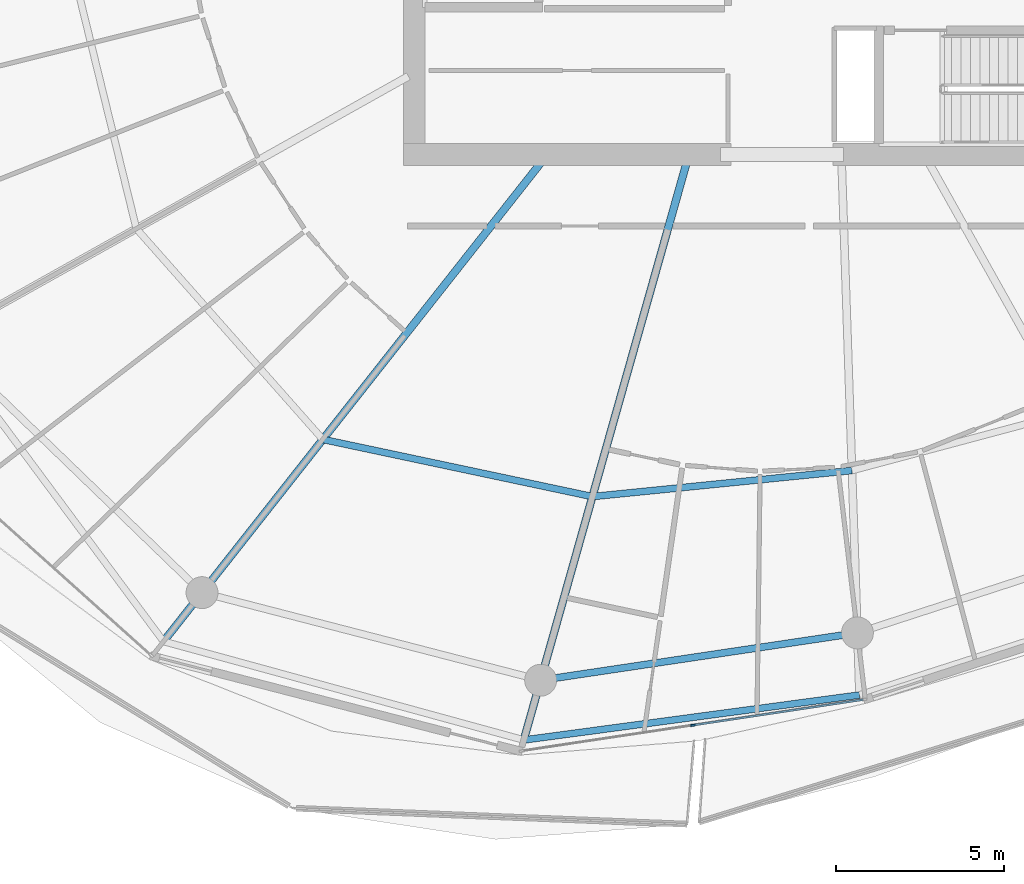
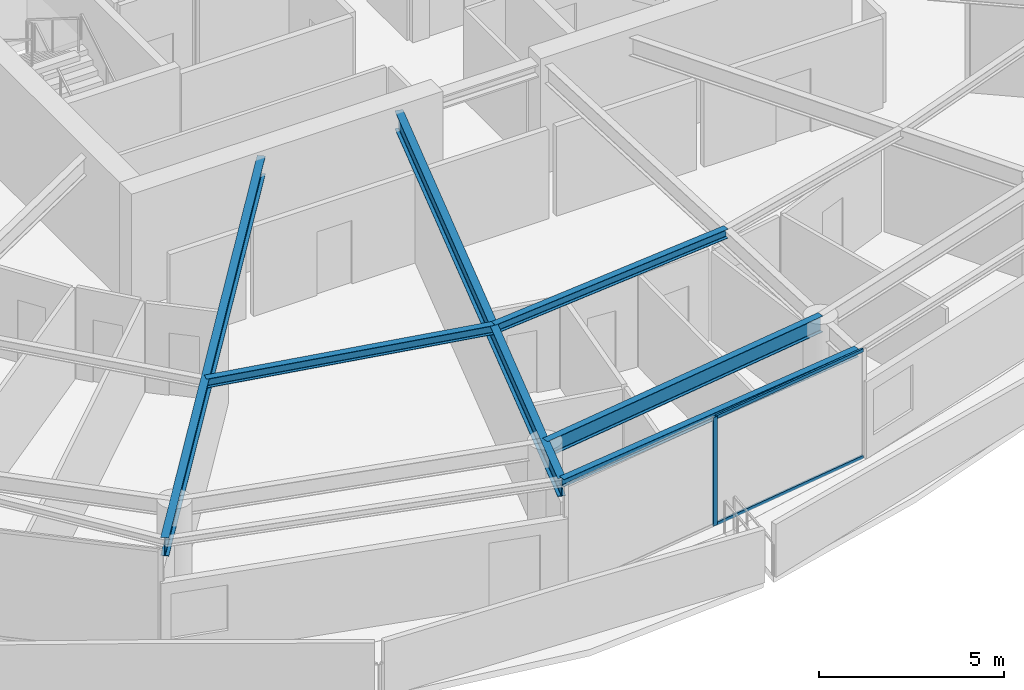
# One storey, part 7 of 31: 6 beams, 3 members, 1 element without a shape of its own.
"""IFC4 building model written with IfcOpenShell, lengths in metres."""

from ifc_helpers import new_model, si_unit, direction, frame, origin, origin_2d, place, context, subcontext, project, spatial, rectangle, i_section, extrude, material, layer, layer_set, material_profile, profile_set, type_object, element, aggregate, save


model = new_model("IFC4")

# Units and contexts
model_context = context("Model", 3, precision=1e-05, world=origin(), true_north=direction((0.0, 1.0)))
body_context = subcontext(model_context, "Body", "Model", "MODEL_VIEW")
ifc_project = project(units=[si_unit("LENGTHUNIT", "METRE"), si_unit("AREAUNIT", "SQUARE_METRE"), si_unit("VOLUMEUNIT", "CUBIC_METRE"), si_unit("PLANEANGLEUNIT", "RADIAN"), si_unit("MASSUNIT", "GRAM", prefix="KILO")], contexts=[model_context])

# Site, building, storey
site_placement = place(None, origin())
site = spatial("IfcSite", under=ifc_project, at=site_placement, CompositionType="ELEMENT")
building_placement = place(site_placement, origin())
building = spatial("IfcBuilding", under=site, at=building_placement, Name="Kazma Halo Residences", CompositionType="ELEMENT")
storey_placement = place(building_placement, frame((0.0, 0.0, 271.35009765625)))
storey = spatial("IfcBuildingStorey", under=building, at=storey_placement, Name="L68", CompositionType="ELEMENT", Elevation=271.35009765625)

# Beams
ifc_material_1 = material(Name="Steel S355", Category="steel")
ifc_material_profile_1 = material_profile(ifc_material_1, i_section(OverallWidth=0.201904296875, OverallDepth=0.2470703125, WebThickness=0.00732421875, FlangeThickness=0.010986328125, FilletRadius=0.011962890625, at=origin_2d()), Name="W250x49.1")
ifc_profile_set_1 = profile_set([ifc_material_profile_1], Name="Steel S355")
beam_type_1 = type_object("IfcBeamType", Name="BM-BAL-CANT", PredefinedType="BEAM", material=ifc_profile_set_1)
beam_1_placement = place(storey_placement, frame((40.73486328125, 16.239990234375, 3.46630859375), z_axis=(0.991137416918, 0.132840584106, 0.0), x_axis=(-0.132840584106, 0.991137416918, 0.0)))
element("IfcBeam", 1, at=beam_1_placement, inside=storey, type_object=beam_type_1, Name="L68 wave-balcony tie beam 11", PredefinedType="BEAM", context=body_context, shape_type="SweptSolid", body=[
    extrude(i_section(OverallWidth=0.201904296875, OverallDepth=0.2470703125, WebThickness=0.00732421875, FlangeThickness=0.010986328125, FilletRadius=0.011962890625, at=origin_2d()), origin(), (0.0, 0.0, 1.0), 10.087890625),
])
ifc_material_profile_2 = material_profile(ifc_material_1, i_section(OverallWidth=0.22802734375, OverallDepth=0.60791015625, WebThickness=0.01123046875, FlangeThickness=0.017333984375, FilletRadius=0.01806640625, at=origin_2d()), Name="W610x113")
ifc_profile_set_2 = profile_set([ifc_material_profile_2], Name="Steel S355")
beam_type_2 = type_object("IfcBeamType", Name="BM-RAD-W610", PredefinedType="BEAM", material=ifc_profile_set_2)
beam_2_placement = place(storey_placement, frame((41.299072265625, 33.5, 3.285888671875), z_axis=(-0.6190864347, -0.785322854863, 0.0), x_axis=(0.785322854863, -0.6190864347, 0.0)))
element("IfcBeam", 2, at=beam_2_placement, inside=storey, type_object=beam_type_2, Name="L68 radial floor beam 10", PredefinedType="BEAM", context=body_context, shape_type="SweptSolid", body=[
    extrude(i_section(OverallWidth=0.22802734375, OverallDepth=0.60791015625, WebThickness=0.01123046875, FlangeThickness=0.017333984375, FilletRadius=0.01806640625, at=origin_2d()), origin(), (0.0, 0.0, 1.0), 18.239013671875),
])
beam_3_placement = place(storey_placement, frame((45.602783203125, 33.5, 3.285888671875), z_axis=(-0.271445290974, -0.962453871107, 0.0), x_axis=(0.962453871107, -0.271445290974, 0.0)))
element("IfcBeam", 3, at=beam_3_placement, inside=storey, type_object=beam_type_2, Name="L68 radial floor beam 11", PredefinedType="BEAM", context=body_context, shape_type="SweptSolid", body=[
    extrude(i_section(OverallWidth=0.22802734375, OverallDepth=0.60791015625, WebThickness=0.01123046875, FlangeThickness=0.017333984375, FilletRadius=0.01806640625, at=origin_2d()), origin(), (0.0, 0.0, 1.0), 17.933349609375),
])
ifc_material_profile_3 = material_profile(ifc_material_1, i_section(OverallWidth=0.202880859375, OverallDepth=0.302978515625, WebThickness=0.007568359375, FlangeThickness=0.01318359375, FilletRadius=0.013916015625, at=origin_2d()), Name="W310x60")
ifc_profile_set_3 = profile_set([ifc_material_profile_3], Name="Steel S355")
beam_type_3 = type_object("IfcBeamType", Name="BM-SEC-W310A", PredefinedType="JOIST", material=ifc_profile_set_3)
beam_4_placement = place(storey_placement, frame((34.75, 25.1923828125, 3.4384765625), z_axis=(0.978235588777, -0.207497308055, 0.0), x_axis=(0.207497308055, 0.978235588777, 0.0)))
element("IfcBeam", 4, at=beam_4_placement, inside=storey, type_object=beam_type_3, Name="L68 circumferential floor joist 10", PredefinedType="JOIST", context=body_context, shape_type="SweptSolid", body=[
    extrude(i_section(OverallWidth=0.202880859375, OverallDepth=0.302978515625, WebThickness=0.007568359375, FlangeThickness=0.01318359375, FilletRadius=0.013916015625, at=origin_2d()), origin(), (0.0, 0.0, 1.0), 8.2080078125),
])
beam_5_placement = place(storey_placement, frame((42.779296875, 23.4892578125, 3.4384765625), z_axis=(0.994981653225, 0.10005753218, 0.0), x_axis=(-0.10005753218, 0.994981653225, 0.0)))
element("IfcBeam", 5, at=beam_5_placement, inside=storey, type_object=beam_type_3, Name="L68 circumferential floor joist 11", PredefinedType="JOIST", context=body_context, shape_type="SweptSolid", body=[
    extrude(i_section(OverallWidth=0.202880859375, OverallDepth=0.302978515625, WebThickness=0.007568359375, FlangeThickness=0.01318359375, FilletRadius=0.013916015625, at=origin_2d()), origin(), (0.0, 0.0, 1.0), 7.76904296875),
])
ifc_material_profile_4 = material_profile(ifc_material_1, i_section(OverallWidth=0.208984375, OverallDepth=0.532958984375, WebThickness=0.01025390625, FlangeThickness=0.015625, FilletRadius=0.01611328125, at=origin_2d()), Name="W530x92")
ifc_profile_set_4 = profile_set([ifc_material_profile_4], Name="Steel S355")
beam_type_4 = type_object("IfcBeamType", Name="BM-SPN-W530", PredefinedType="BEAM", material=ifc_profile_set_4)
beam_6_placement = place(storey_placement, frame((41.237060546875, 18.0205078125, 3.323486328125), z_axis=(0.989035441627, 0.147678350495, 0.0), x_axis=(-0.147678350495, 0.989035441627, 0.0)))
element("IfcBeam", 6, at=beam_6_placement, inside=storey, type_object=beam_type_4, Name="L68 perimeter ring beam 11", PredefinedType="BEAM", context=body_context, shape_type="SweptSolid", body=[
    extrude(i_section(OverallWidth=0.208984375, OverallDepth=0.532958984375, WebThickness=0.01025390625, FlangeThickness=0.015625, FilletRadius=0.01611328125, at=origin_2d()), origin(), (0.0, 0.0, 1.0), 9.538818359375),
])

# Curtain wall, members
ifc_material_2 = material(Name="Aluminium AW-6063 T6 and Triple-Silver Low-E Glass", Category="aluminium")
ifc_layer = layer(ifc_material_2, 0.139892578125)
ifc_layer_set = layer_set([ifc_layer], Name="Aluminium AW-6063 T6 and Triple-Silver Low-E Glass")
curtain_wall_type = type_object("IfcCurtainWallType", Name="CW-SYS-5", PredefinedType="NOTDEFINED", material=ifc_layer_set)
curtain_wall_placement = place(storey_placement, origin())
curtain_wall = element("IfcCurtainWall", 7, at=curtain_wall_placement, inside=storey, type_object=curtain_wall_type, Name="L68 unitised curtain wall B11", PredefinedType="NOTDEFINED")
ifc_material_3 = material(Name="Aluminium AW-6063 T6", Category="aluminium")
ifc_material_profile_5 = material_profile(ifc_material_3, rectangle(XDim=0.06005859375, YDim=0.139892578125, at=origin_2d()), Name="CWM-60x140")
ifc_profile_set_5 = profile_set([ifc_material_profile_5], Name="Aluminium AW-6063 T6")
member_type_1 = type_object("IfcMemberType", Name="CW-SYS-5-MUL", PredefinedType="MULLION", material=ifc_profile_set_5)
member_1_placement = place(storey_placement, frame((45.7734375, 16.679931640625, 0.0), z_axis=(0.0, 0.0, 1.0), x_axis=(-0.148697080374, 0.988882792998, 0.0)))
member_1 = element("IfcMember", 8, at=member_1_placement, type_object=member_type_1, Name="CWS-5 mullion 2", PredefinedType="MULLION", context=body_context, shape_type="SweptSolid", body=[
    extrude(rectangle(XDim=0.06005859375, YDim=0.139892578125, at=origin_2d()), origin(), (0.0, 0.0, 1.0), 3.58984375),
])
ifc_material_profile_6 = material_profile(ifc_material_3, rectangle(XDim=0.06005859375, YDim=0.10498046875, at=origin_2d()), Name="CWT-60x105")
ifc_profile_set_6 = profile_set([ifc_material_profile_6], Name="Aluminium AW-6063 T6")
member_type_2 = type_object("IfcMemberType", Name="CW-SYS-5-TRN", PredefinedType="USERDEFINED", material=ifc_profile_set_6)
member_2_placement = place(storey_placement, frame((45.80322265625, 16.6845703125, 0.02978515625), z_axis=(0.988882913569, 0.148696278541, 0.0), x_axis=(-0.148696278541, 0.988882913569, 0.0)))
member_2 = element("IfcMember", 9, at=member_2_placement, type_object=member_type_2, Name="CWS-5 transom 2.1", ObjectType="TRANSOM", PredefinedType="USERDEFINED", context=body_context, shape_type="SweptSolid", body=[
    extrude(rectangle(XDim=0.06005859375, YDim=0.10498046875, at=origin_2d()), origin(), (0.0, 0.0, 1.0), 5.099609375),
])
member_3_placement = place(storey_placement, frame((45.80322265625, 16.6845703125, 3.559814453125), z_axis=(0.988882913569, 0.148696278541, 0.0), x_axis=(-0.148696278541, 0.988882913569, 0.0)))
member_3 = element("IfcMember", 10, at=member_3_placement, type_object=member_type_2, Name="CWS-5 transom 2.2", ObjectType="TRANSOM", PredefinedType="USERDEFINED", context=body_context, shape_type="SweptSolid", body=[
    extrude(rectangle(XDim=0.06005859375, YDim=0.10498046875, at=origin_2d()), origin(), (0.0, 0.0, 1.0), 5.099609375),
])
aggregate(curtain_wall, [member_1, member_2, member_3])

save(model, "model.ifc")
